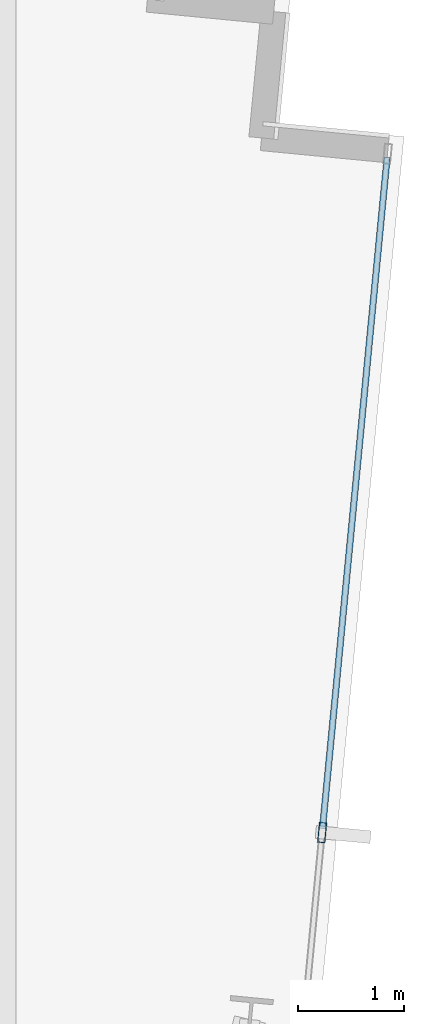
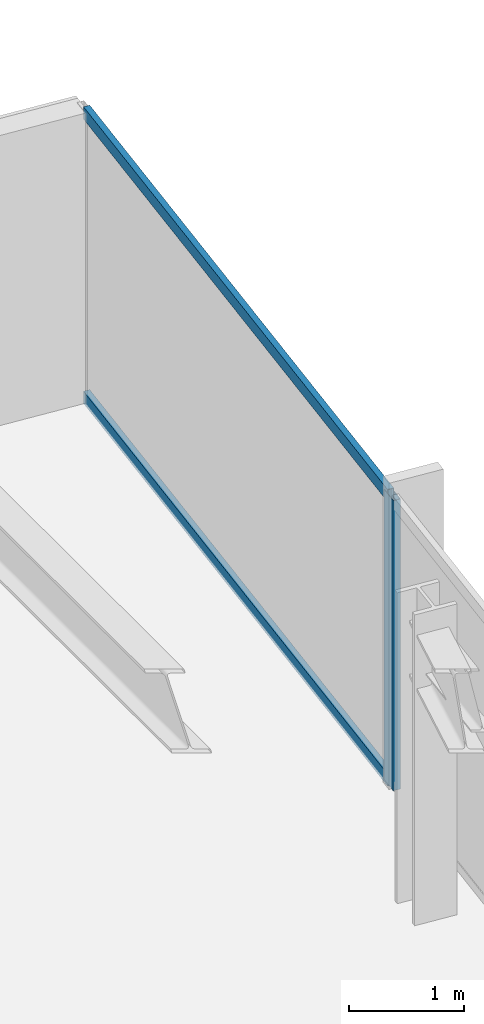
# One storey, part 20 of 37: 3 members, 1 element without a shape of its own.
"""IFC4 building model written with IfcOpenShell, lengths in metres."""

from ifc_helpers import new_model, si_unit, direction, frame, origin, origin_2d, place, context, subcontext, project, spatial, hollow_rectangle, extrude, material, material_profile, profile_set, type_object, element, aggregate, save


model = new_model("IFC4")

# Units and contexts
model_context = context("Model", 3, precision=1e-05, world=origin(), true_north=direction((0.0, 1.0)))
body_context = subcontext(model_context, "Body", "Model", "MODEL_VIEW")
ifc_project = project(units=[si_unit("LENGTHUNIT", "METRE"), si_unit("AREAUNIT", "SQUARE_METRE"), si_unit("VOLUMEUNIT", "CUBIC_METRE"), si_unit("PLANEANGLEUNIT", "RADIAN"), si_unit("MASSUNIT", "GRAM", prefix="KILO")], contexts=[model_context])

# Site, building, storey
site_placement = place(None, origin())
site = spatial("IfcSite", under=ifc_project, at=site_placement, CompositionType="ELEMENT")
building_placement = place(site_placement, origin())
building = spatial("IfcBuilding", under=site, at=building_placement, Name="Yelkora Congress Tower", CompositionType="ELEMENT")
storey_placement = place(building_placement, frame((0.0, 0.0, 162.199951171875)))
storey = spatial("IfcBuildingStorey", under=building, at=storey_placement, Name="L44", CompositionType="ELEMENT", Elevation=162.199951171875)

# Curtain wall, members
ifc_material_1 = material(Name="Anodised aluminium and insulated glass", Category="aluminium")
curtain_wall_type = type_object("IfcCurtainWallType", Name="CW-SYS-B3", PredefinedType="NOTDEFINED", material=ifc_material_1)
curtain_wall_placement = place(storey_placement, origin())
curtain_wall = element("IfcCurtainWall", 1, at=curtain_wall_placement, inside=storey, type_object=curtain_wall_type, Name="L44 Unitised Curtain Wall 15", PredefinedType="NOTDEFINED")
ifc_material_2 = material(Name="Anodised aluminium 6063-T6", Category="aluminium")
ifc_material_profile_1 = material_profile(ifc_material_2, hollow_rectangle(XDim=0.070068359375, YDim=0.18994140625, WallThickness=0.00390625, at=origin_2d()), Name="ALU 70x190x4")
ifc_profile_set_1 = profile_set([ifc_material_profile_1], Name="Anodised aluminium 6063-T6")
member_type_1 = type_object("IfcMemberType", Name="MEM-ML-B3", PredefinedType="MULLION", material=ifc_profile_set_1)
member_1_placement = place(storey_placement, frame((60.646240234375, 36.849853515625, 0.0), z_axis=(0.0, 0.0, 1.0), x_axis=(0.995396565076, -0.095841944023, 0.0)))
member_1 = element("IfcMember", 2, at=member_1_placement, type_object=member_type_1, Name="CW-B3 mullion 2", PredefinedType="MULLION", context=body_context, shape_type="SweptSolid", body=[
    extrude(hollow_rectangle(XDim=0.070068359375, YDim=0.18994140625, WallThickness=0.00390625, at=origin_2d()), origin(), (0.0, 0.0, 1.0), 3.080078125),
])
ifc_material_profile_2 = material_profile(ifc_material_2, hollow_rectangle(XDim=0.06005859375, YDim=0.1298828125, WallThickness=0.00390625, at=origin_2d()), Name="ALU 60x130x4")
ifc_profile_set_2 = profile_set([ifc_material_profile_2], Name="Anodised aluminium 6063-T6")
member_type_2 = type_object("IfcMemberType", Name="MEM-TR-B3", PredefinedType="USERDEFINED", material=ifc_profile_set_2)
member_2_placement = place(storey_placement, frame((61.260986328125, 43.234375, 0.030029296875), z_axis=(-0.095872844558, -0.995393589329, 0.0), x_axis=(0.995393589329, -0.095872844558, 0.0)))
member_2 = element("IfcMember", 3, at=member_2_placement, type_object=member_type_2, Name="CW-B3 transom 1.1", ObjectType="TRANSOM", PredefinedType="USERDEFINED", context=body_context, shape_type="SweptSolid", body=[
    extrude(hollow_rectangle(XDim=0.06005859375, YDim=0.1298828125, WallThickness=0.00390625, at=origin_2d()), origin(), (0.0, 0.0, 1.0), 6.37890625),
])
member_3_placement = place(storey_placement, frame((61.260986328125, 43.234375, 3.050048828125), z_axis=(-0.095872844558, -0.995393589329, 0.0), x_axis=(0.995393589329, -0.095872844558, 0.0)))
member_3 = element("IfcMember", 4, at=member_3_placement, type_object=member_type_2, Name="CW-B3 transom 1.2", ObjectType="TRANSOM", PredefinedType="USERDEFINED", context=body_context, shape_type="SweptSolid", body=[
    extrude(hollow_rectangle(XDim=0.06005859375, YDim=0.1298828125, WallThickness=0.00390625, at=origin_2d()), origin(), (0.0, 0.0, 1.0), 6.37890625),
])
aggregate(curtain_wall, [member_1, member_2, member_3])

save(model, "model.ifc")
